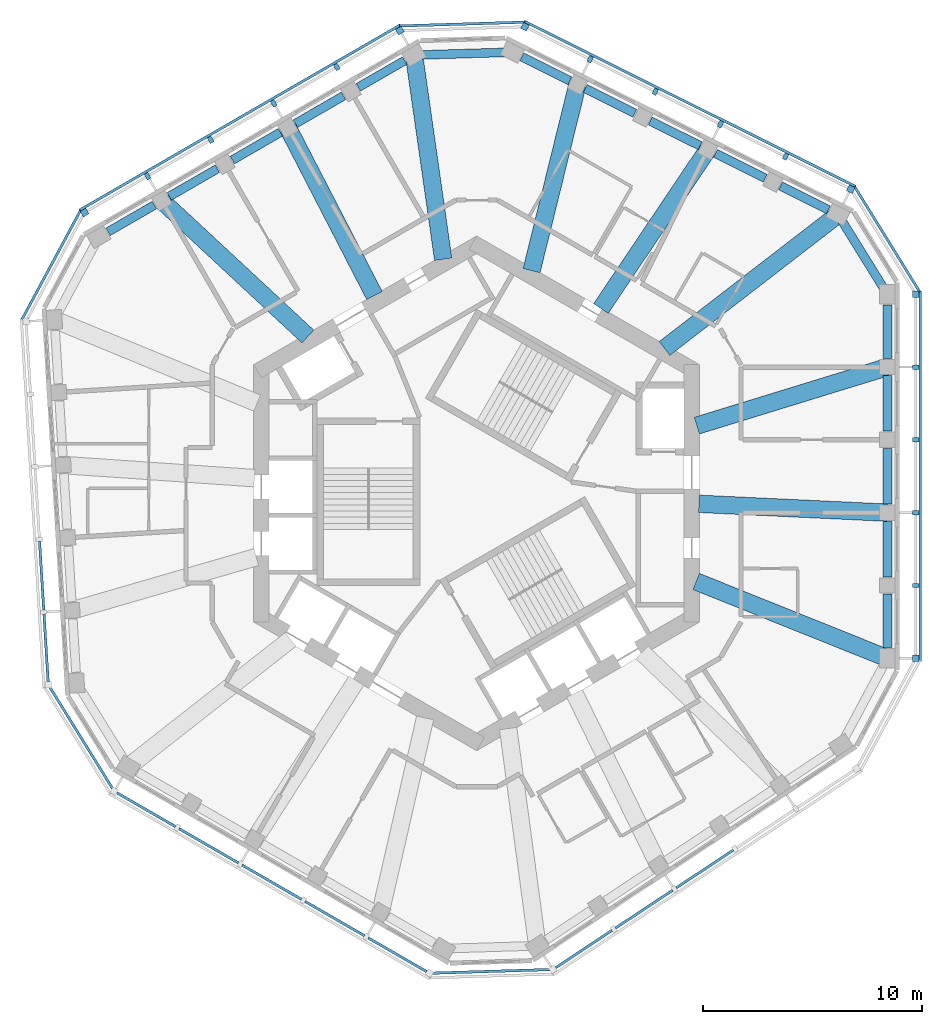
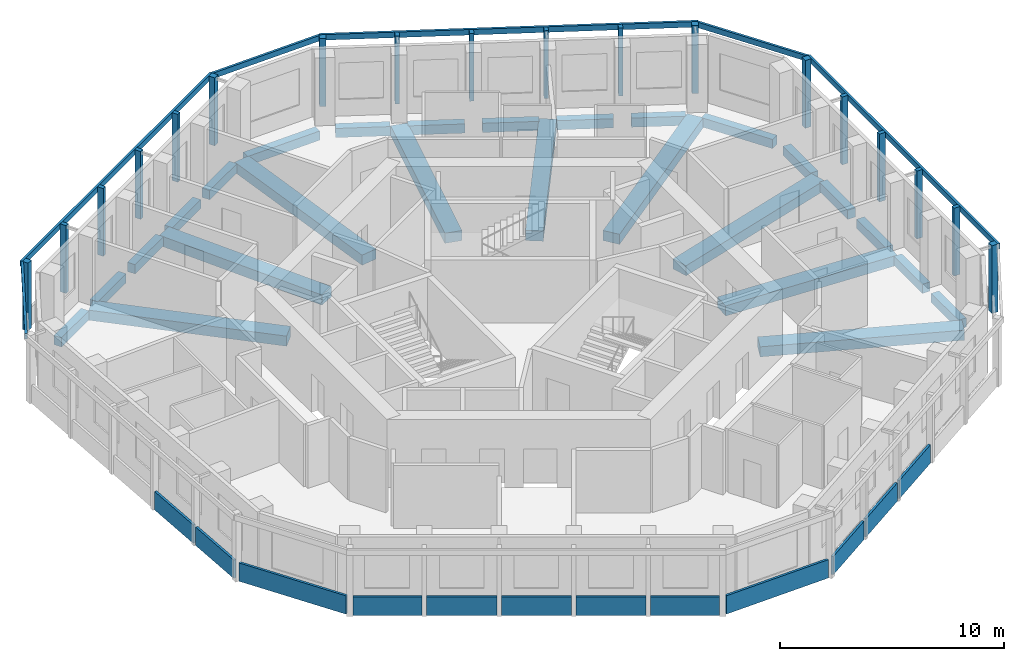
# One storey, part 2 of 11: 26 beams, 24 members, 12 plates, 11 elements without a shape of their own.
"""IFC4 building model written with IfcOpenShell, lengths in metres."""

from ifc_helpers import new_model, si_unit, direction, frame, origin, origin_2d, place, context, subcontext, project, spatial, rectangle, extrude, material, layer, layer_set, material_profile, profile_set, type_object, element, aggregate, save


model = new_model("IFC4")

# Units and contexts
model_context = context("Model", 3, precision=1e-05, world=origin(), true_north=direction((0.0, 1.0)))
body_context = subcontext(model_context, "Body", "Model", "MODEL_VIEW")
ifc_project = project(units=[si_unit("LENGTHUNIT", "METRE"), si_unit("AREAUNIT", "SQUARE_METRE"), si_unit("VOLUMEUNIT", "CUBIC_METRE"), si_unit("PLANEANGLEUNIT", "RADIAN"), si_unit("MASSUNIT", "GRAM", prefix="KILO")], contexts=[model_context])

# Site, building, storey
site_placement = place(None, origin())
site = spatial("IfcSite", under=ifc_project, at=site_placement, CompositionType="ELEMENT")
building_placement = place(site_placement, origin())
building = spatial("IfcBuilding", under=site, at=building_placement, Name="Vanh Sen Convention Tower", CompositionType="ELEMENT")
storey_placement = place(building_placement, frame((0.0, 0.0, 293.10009765625)))
storey = spatial("IfcBuildingStorey", under=building, at=storey_placement, Name="L72", CompositionType="ELEMENT", Elevation=293.10009765625)

# Curtain wall, members
ifc_material_1 = material(Name="Concrete C50/60", Category="concrete")
curtain_wall_type = type_object("IfcCurtainWallType", Name="Outer skin office zone", PredefinedType="NOTDEFINED", material=ifc_material_1)
curtain_wall_1_placement = place(storey_placement, origin())
curtain_wall_1 = element("IfcCurtainWall", 1, at=curtain_wall_1_placement, inside=storey, type_object=curtain_wall_type, Name="OUTER SKIN E L72", PredefinedType="NOTDEFINED")
ifc_material_profile_1 = material_profile(ifc_material_1, rectangle(XDim=0.300048828125, YDim=0.300048828125, at=origin_2d()), Name="Outer skin precast corner fin 300 x 300")
ifc_profile_set_1 = profile_set([ifc_material_profile_1], Name="Concrete C50/60")
member_type_1 = type_object("IfcMemberType", Name="Outer skin precast corner fin 300 x 300", PredefinedType="MULLION", material=ifc_profile_set_1)
member_1_placement = place(storey_placement, frame((20.10009765625, -7.546630859375, 0.0), z_axis=(0.0, 0.0, 1.0), x_axis=(0.0, 1.0, 0.0)))
member_1 = element("IfcMember", 2, at=member_1_placement, type_object=member_type_1, Name="OUTER SKIN CORNER FIN 1 E L72", PredefinedType="MULLION", context=body_context, shape_type="SweptSolid", body=[
    extrude(rectangle(XDim=0.300048828125, YDim=0.300048828125, at=origin_2d()), origin(), (0.0, 0.0, 1.0), 3.699951171875),
])
member_2_placement = place(storey_placement, frame((20.10009765625, 9.111572265625, 0.0), z_axis=(0.0, 0.0, 1.0), x_axis=(0.0, 1.0, 0.0)))
member_2 = element("IfcMember", 3, at=member_2_placement, type_object=member_type_1, Name="OUTER SKIN CORNER FIN 6 E L72", PredefinedType="MULLION", context=body_context, shape_type="SweptSolid", body=[
    extrude(rectangle(XDim=0.300048828125, YDim=0.300048828125, at=origin_2d()), origin(), (0.0, 0.0, 1.0), 3.699951171875),
])

curtain_wall_2_placement = place(storey_placement, origin())
curtain_wall_2 = element("IfcCurtainWall", 4, at=curtain_wall_2_placement, inside=storey, type_object=curtain_wall_type, Name="OUTER SKIN NE L72", PredefinedType="NOTDEFINED")
member_3_placement = place(storey_placement, frame((17.122802734375, 13.922607421875, 0.0), z_axis=(0.0, 0.0, 1.0), x_axis=(-0.894934361602, 0.44619781311, 0.0)))
member_3 = element("IfcMember", 5, at=member_3_placement, type_object=member_type_1, Name="OUTER SKIN CORNER FIN 1 NE L72", PredefinedType="MULLION", context=body_context, shape_type="SweptSolid", body=[
    extrude(rectangle(XDim=0.300048828125, YDim=0.300048828125, at=origin_2d()), origin(), (0.0, 0.0, 1.0), 3.699951171875),
])
member_4_placement = place(storey_placement, frame((2.21484375, 21.35546875, 0.0), z_axis=(0.0, 0.0, 1.0), x_axis=(-0.894934361602, 0.44619781311, 0.0)))
member_4 = element("IfcMember", 6, at=member_4_placement, type_object=member_type_1, Name="OUTER SKIN CORNER FIN 6 NE L72", PredefinedType="MULLION", context=body_context, shape_type="SweptSolid", body=[
    extrude(rectangle(XDim=0.300048828125, YDim=0.300048828125, at=origin_2d()), origin(), (0.0, 0.0, 1.0), 3.699951171875),
])

curtain_wall_3_placement = place(storey_placement, origin())
curtain_wall_3 = element("IfcCurtainWall", 7, at=curtain_wall_3_placement, inside=storey, type_object=curtain_wall_type, Name="OUTER SKIN NW L72", PredefinedType="NOTDEFINED")
member_5_placement = place(storey_placement, frame((-3.514404296875, 21.180419921875, 0.0), z_axis=(0.0, 0.0, 1.0), x_axis=(-0.866025403784, -0.5, 0.0)))
member_5 = element("IfcMember", 8, at=member_5_placement, type_object=member_type_1, Name="OUTER SKIN CORNER FIN 1 NW L72", PredefinedType="MULLION", context=body_context, shape_type="SweptSolid", body=[
    extrude(rectangle(XDim=0.300048828125, YDim=0.300048828125, at=origin_2d()), origin(), (0.0, 0.0, 1.0), 3.699951171875),
])
member_6_placement = place(storey_placement, frame((-17.94091796875, 12.851318359375, 0.0), z_axis=(0.0, 0.0, 1.0), x_axis=(-0.866025403784, -0.5, 0.0)))
member_6 = element("IfcMember", 9, at=member_6_placement, type_object=member_type_1, Name="OUTER SKIN CORNER FIN 6 NW L72", PredefinedType="MULLION", context=body_context, shape_type="SweptSolid", body=[
    extrude(rectangle(XDim=0.300048828125, YDim=0.300048828125, at=origin_2d()), origin(), (0.0, 0.0, 1.0), 3.699951171875),
])

# Member
ifc_material_profile_2 = material_profile(ifc_material_1, rectangle(XDim=0.199951171875, YDim=0.300048828125, at=origin_2d()), Name="Outer skin precast fin 200 x 300")
ifc_profile_set_2 = profile_set([ifc_material_profile_2], Name="Concrete C50/60")
member_type_2 = type_object("IfcMemberType", Name="Outer skin precast fin 200 x 300", PredefinedType="MULLION", material=ifc_profile_set_2)
member_7_placement = place(storey_placement, frame((20.10009765625, -4.215087890625, 0.0), z_axis=(0.0, 0.0, 1.0), x_axis=(0.0, 1.0, 0.0)))
member_7 = element("IfcMember", 10, at=member_7_placement, type_object=member_type_2, Name="OUTER SKIN fin 2 E L72", PredefinedType="MULLION", context=body_context, shape_type="SweptSolid", body=[
    extrude(rectangle(XDim=0.199951171875, YDim=0.300048828125, at=origin_2d()), origin(), (0.0, 0.0, 1.0), 3.699951171875),
])

member_8_placement = place(storey_placement, frame((20.10009765625, -0.88330078125, 0.0), z_axis=(0.0, 0.0, 1.0), x_axis=(0.0, 1.0, 0.0)))
member_8 = element("IfcMember", 11, at=member_8_placement, type_object=member_type_2, Name="OUTER SKIN fin 3 E L72", PredefinedType="MULLION", context=body_context, shape_type="SweptSolid", body=[
    extrude(rectangle(XDim=0.199951171875, YDim=0.300048828125, at=origin_2d()), origin(), (0.0, 0.0, 1.0), 3.699951171875),
])

member_9_placement = place(storey_placement, frame((20.10009765625, 2.4482421875, 0.0), z_axis=(0.0, 0.0, 1.0), x_axis=(0.0, 1.0, 0.0)))
member_9 = element("IfcMember", 12, at=member_9_placement, type_object=member_type_2, Name="OUTER SKIN fin 4 E L72", PredefinedType="MULLION", context=body_context, shape_type="SweptSolid", body=[
    extrude(rectangle(XDim=0.199951171875, YDim=0.300048828125, at=origin_2d()), origin(), (0.0, 0.0, 1.0), 3.699951171875),
])

member_10_placement = place(storey_placement, frame((20.10009765625, 5.77978515625, 0.0), z_axis=(0.0, 0.0, 1.0), x_axis=(0.0, 1.0, 0.0)))
member_10 = element("IfcMember", 13, at=member_10_placement, type_object=member_type_2, Name="OUTER SKIN fin 5 E L72", PredefinedType="MULLION", context=body_context, shape_type="SweptSolid", body=[
    extrude(rectangle(XDim=0.199951171875, YDim=0.300048828125, at=origin_2d()), origin(), (0.0, 0.0, 1.0), 3.699951171875),
])

member_11_placement = place(storey_placement, frame((14.14111328125, 15.4091796875, 0.0), z_axis=(0.0, 0.0, 1.0), x_axis=(-0.894934361602, 0.44619781311, 0.0)))
member_11 = element("IfcMember", 14, at=member_11_placement, type_object=member_type_2, Name="OUTER SKIN fin 2 NE L72", PredefinedType="MULLION", context=body_context, shape_type="SweptSolid", body=[
    extrude(rectangle(XDim=0.199951171875, YDim=0.300048828125, at=origin_2d()), origin(), (0.0, 0.0, 1.0), 3.699951171875),
])

member_12_placement = place(storey_placement, frame((11.15966796875, 16.895751953125, 0.0), z_axis=(0.0, 0.0, 1.0), x_axis=(-0.894934361602, 0.44619781311, 0.0)))
member_12 = element("IfcMember", 15, at=member_12_placement, type_object=member_type_2, Name="OUTER SKIN fin 3 NE L72", PredefinedType="MULLION", context=body_context, shape_type="SweptSolid", body=[
    extrude(rectangle(XDim=0.199951171875, YDim=0.300048828125, at=origin_2d()), origin(), (0.0, 0.0, 1.0), 3.699951171875),
])

member_13_placement = place(storey_placement, frame((8.177978515625, 18.38232421875, 0.0), z_axis=(0.0, 0.0, 1.0), x_axis=(-0.894934361602, 0.44619781311, 0.0)))
member_13 = element("IfcMember", 16, at=member_13_placement, type_object=member_type_2, Name="OUTER SKIN fin 4 NE L72", PredefinedType="MULLION", context=body_context, shape_type="SweptSolid", body=[
    extrude(rectangle(XDim=0.199951171875, YDim=0.300048828125, at=origin_2d()), origin(), (0.0, 0.0, 1.0), 3.699951171875),
])

member_14_placement = place(storey_placement, frame((5.1962890625, 19.868896484375, 0.0), z_axis=(0.0, 0.0, 1.0), x_axis=(-0.894934361602, 0.44619781311, 0.0)))
member_14 = element("IfcMember", 17, at=member_14_placement, type_object=member_type_2, Name="OUTER SKIN fin 5 NE L72", PredefinedType="MULLION", context=body_context, shape_type="SweptSolid", body=[
    extrude(rectangle(XDim=0.199951171875, YDim=0.300048828125, at=origin_2d()), origin(), (0.0, 0.0, 1.0), 3.699951171875),
])

member_15_placement = place(storey_placement, frame((-6.399658203125, 19.5146484375, 0.0), z_axis=(0.0, 0.0, 1.0), x_axis=(-0.866025403784, -0.5, 0.0)))
member_15 = element("IfcMember", 18, at=member_15_placement, type_object=member_type_2, Name="OUTER SKIN fin 2 NW L72", PredefinedType="MULLION", context=body_context, shape_type="SweptSolid", body=[
    extrude(rectangle(XDim=0.199951171875, YDim=0.300048828125, at=origin_2d()), origin(), (0.0, 0.0, 1.0), 3.699951171875),
])

member_16_placement = place(storey_placement, frame((-9.284912109375, 17.848876953125, 0.0), z_axis=(0.0, 0.0, 1.0), x_axis=(-0.866025403784, -0.5, 0.0)))
member_16 = element("IfcMember", 19, at=member_16_placement, type_object=member_type_2, Name="OUTER SKIN fin 3 NW L72", PredefinedType="MULLION", context=body_context, shape_type="SweptSolid", body=[
    extrude(rectangle(XDim=0.199951171875, YDim=0.300048828125, at=origin_2d()), origin(), (0.0, 0.0, 1.0), 3.699951171875),
])

member_17_placement = place(storey_placement, frame((-12.170166015625, 16.18310546875, 0.0), z_axis=(0.0, 0.0, 1.0), x_axis=(-0.866025403784, -0.5, 0.0)))
member_17 = element("IfcMember", 20, at=member_17_placement, type_object=member_type_2, Name="OUTER SKIN fin 4 NW L72", PredefinedType="MULLION", context=body_context, shape_type="SweptSolid", body=[
    extrude(rectangle(XDim=0.199951171875, YDim=0.300048828125, at=origin_2d()), origin(), (0.0, 0.0, 1.0), 3.699951171875),
])

member_18_placement = place(storey_placement, frame((-15.055419921875, 14.51708984375, 0.0), z_axis=(0.0, 0.0, 1.0), x_axis=(-0.866025403784, -0.5, 0.0)))
member_18 = element("IfcMember", 21, at=member_18_placement, type_object=member_type_2, Name="OUTER SKIN fin 5 NW L72", PredefinedType="MULLION", context=body_context, shape_type="SweptSolid", body=[
    extrude(rectangle(XDim=0.199951171875, YDim=0.300048828125, at=origin_2d()), origin(), (0.0, 0.0, 1.0), 3.699951171875),
])

ifc_material_profile_3 = material_profile(ifc_material_1, rectangle(XDim=0.1201171875, YDim=0.300048828125, at=origin_2d()), Name="Outer skin precast spandrel band 300 x 120")
ifc_profile_set_3 = profile_set([ifc_material_profile_3], Name="Concrete C50/60")
member_type_3 = type_object("IfcMemberType", Name="Outer skin precast spandrel band 300 x 120", PredefinedType="USERDEFINED", material=ifc_profile_set_3)
member_19_placement = place(storey_placement, frame((20.31005859375, -7.69677734375, 3.5498046875), z_axis=(0.0, 1.0, 0.0), x_axis=(-1.0, 0.0, 0.0)))
member_19 = element("IfcMember", 22, at=member_19_placement, type_object=member_type_3, Name="OUTER SKIN spandrel band E L72", ObjectType="TRANSOM", PredefinedType="USERDEFINED", context=body_context, shape_type="SweptSolid", body=[
    extrude(rectangle(XDim=0.1201171875, YDim=0.300048828125, at=origin_2d()), origin(), (0.0, 0.0, 1.0), 16.958251953125),
])

aggregate(curtain_wall_1, [member_1, member_7, member_8, member_9, member_10, member_2, member_19])

# Curtain wall, member
curtain_wall_4_placement = place(storey_placement, origin())
curtain_wall_4 = element("IfcCurtainWall", 23, at=curtain_wall_4_placement, inside=storey, type_object=curtain_wall_type, Name="OUTER SKIN CH1 L72", PredefinedType="NOTDEFINED")
member_20_placement = place(storey_placement, frame((20.278564453125, 9.221923828125, 3.5498046875), z_axis=(-0.52621200061, 0.850353415007, 0.0), x_axis=(-0.850353415007, -0.52621200061, 0.0)))
member_20 = element("IfcMember", 24, at=member_20_placement, type_object=member_type_3, Name="OUTER SKIN spandrel band CH1 L72", ObjectType="TRANSOM", PredefinedType="USERDEFINED", context=body_context, shape_type="SweptSolid", body=[
    extrude(rectangle(XDim=0.1201171875, YDim=0.300048828125, at=origin_2d()), origin(), (0.0, 0.0, 1.0), 5.657958984375),
])
aggregate(curtain_wall_4, [member_20])

# Member
member_21_placement = place(storey_placement, frame((17.3505859375, 14.043701171875, 3.5498046875), z_axis=(-0.894933383827, 0.446199774218, 0.0), x_axis=(-0.446199774218, -0.894933383827, 0.0)))
member_21 = element("IfcMember", 25, at=member_21_placement, type_object=member_type_3, Name="OUTER SKIN spandrel band NE L72", ObjectType="TRANSOM", PredefinedType="USERDEFINED", context=body_context, shape_type="SweptSolid", body=[
    extrude(rectangle(XDim=0.1201171875, YDim=0.300048828125, at=origin_2d()), origin(), (0.0, 0.0, 1.0), 16.9580078125),
])

aggregate(curtain_wall_2, [member_3, member_11, member_12, member_13, member_14, member_4, member_21])

# Curtain wall, member
curtain_wall_5_placement = place(storey_placement, origin())
curtain_wall_5 = element("IfcCurtainWall", 26, at=curtain_wall_5_placement, inside=storey, type_object=curtain_wall_type, Name="OUTER SKIN CH2 L72", PredefinedType="NOTDEFINED")
member_22_placement = place(storey_placement, frame((2.208251953125, 21.5654296875, 3.5498046875), z_axis=(-0.999533527312, -0.030540592307, 0.0), x_axis=(0.030540592307, -0.999533527312, 0.0)))
member_22 = element("IfcMember", 27, at=member_22_placement, type_object=member_type_3, Name="OUTER SKIN spandrel band CH2 L72", ObjectType="TRANSOM", PredefinedType="USERDEFINED", context=body_context, shape_type="SweptSolid", body=[
    extrude(rectangle(XDim=0.1201171875, YDim=0.300048828125, at=origin_2d()), origin(), (0.0, 0.0, 1.0), 5.731689453125),
])
aggregate(curtain_wall_5, [member_22])

# Member
member_23_placement = place(storey_placement, frame((-3.489501953125, 21.4375, 3.5498046875), z_axis=(-0.866022320763, -0.500005339912, 0.0), x_axis=(0.500005339912, -0.866022320763, 0.0)))
member_23 = element("IfcMember", 28, at=member_23_placement, type_object=member_type_3, Name="OUTER SKIN spandrel band NW L72", ObjectType="TRANSOM", PredefinedType="USERDEFINED", context=body_context, shape_type="SweptSolid", body=[
    extrude(rectangle(XDim=0.1201171875, YDim=0.300048828125, at=origin_2d()), origin(), (0.0, 0.0, 1.0), 16.958251953125),
])

aggregate(curtain_wall_3, [member_5, member_15, member_16, member_17, member_18, member_6, member_23])

# Curtain wall, member
curtain_wall_6_placement = place(storey_placement, origin())
curtain_wall_6 = element("IfcCurtainWall", 29, at=curtain_wall_6_placement, inside=storey, type_object=curtain_wall_type, Name="OUTER SKIN CH3 L72", PredefinedType="NOTDEFINED")
member_24_placement = place(storey_placement, frame((-18.125732421875, 12.95068359375, 3.5498046875), z_axis=(-0.473325096028, -0.880887821161, 0.0), x_axis=(0.880887821161, -0.473325096028, 0.0)))
member_24 = element("IfcMember", 30, at=member_24_placement, type_object=member_type_3, Name="OUTER SKIN spandrel band CH3 L72", ObjectType="TRANSOM", PredefinedType="USERDEFINED", context=body_context, shape_type="SweptSolid", body=[
    extrude(rectangle(XDim=0.1201171875, YDim=0.300048828125, at=origin_2d()), origin(), (0.0, 0.0, 1.0), 5.65771484375),
])
aggregate(curtain_wall_6, [member_24])

# Beams
ifc_material_2 = material(Name="Concrete C50/60", Category="concrete")
ifc_material_profile_4 = material_profile(ifc_material_2, rectangle(XDim=0.800048828125, YDim=0.550048828125, at=origin_2d()), Name="RC 800X550")
ifc_profile_set_4 = profile_set([ifc_material_profile_4], Name="Concrete C50/60")
beam_type_1 = type_object("IfcBeamType", Name="Radial floor beam 800 x 550", PredefinedType="BEAM", material=ifc_profile_set_4)
beam_1_placement = place(storey_placement, frame((18.603759765625, -7.468017578125, -0.55517578125), z_axis=(-0.928014010197, 0.372545295069, 0.0), x_axis=(-0.372545295069, -0.928014010197, 0.0)))
element("IfcBeam", 31, at=beam_1_placement, inside=storey, type_object=beam_type_1, Name="Radial beam 01 L72", PredefinedType="BEAM", context=body_context, shape_type="SweptSolid", body=[
    extrude(rectangle(XDim=0.800048828125, YDim=0.550048828125, at=origin_2d()), origin(), (0.0, 0.0, 1.0), 9.22119140625),
])
beam_2_placement = place(storey_placement, frame((18.795654296875, -0.88330078125, -0.55517578125), z_axis=(-0.998897770971, 0.046938716953, 0.0), x_axis=(-0.046938716953, -0.998897770971, 0.0)))
element("IfcBeam", 32, at=beam_2_placement, inside=storey, type_object=beam_type_1, Name="Radial beam 02 L72", PredefinedType="BEAM", context=body_context, shape_type="SweptSolid", body=[
    extrude(rectangle(XDim=0.800048828125, YDim=0.550048828125, at=origin_2d()), origin(), (0.0, 0.0, 1.0), 8.62890625),
])
beam_3_placement = place(storey_placement, frame((18.747314453125, 5.763671875, -0.55517578125), z_axis=(-0.95585056515, -0.293853189709, 0.0), x_axis=(0.293853189709, -0.95585056515, 0.0)))
element("IfcBeam", 33, at=beam_3_placement, inside=storey, type_object=beam_type_1, Name="Radial beam 03 L72", PredefinedType="BEAM", context=body_context, shape_type="SweptSolid", body=[
    extrude(rectangle(XDim=0.800048828125, YDim=0.550048828125, at=origin_2d()), origin(), (0.0, 0.0, 1.0), 9.070068359375),
])
beam_4_placement = place(storey_placement, frame((16.39208984375, 12.64306640625, -0.55517578125), z_axis=(-0.791830241539, -0.610741245197, 0.0), x_axis=(0.610741245197, -0.791830241539, 0.0)))
element("IfcBeam", 34, at=beam_4_placement, inside=storey, type_object=beam_type_1, Name="Radial beam 04 L72", PredefinedType="BEAM", context=body_context, shape_type="SweptSolid", body=[
    extrude(rectangle(XDim=0.800048828125, YDim=0.550048828125, at=origin_2d()), origin(), (0.0, 0.0, 1.0), 9.841796875),
])
beam_5_placement = place(storey_placement, frame((10.56787109375, 15.715087890625, -0.55517578125), z_axis=(-0.558032387358, -0.829819169856, 0.0), x_axis=(0.829819169856, -0.558032387358, 0.0)))
element("IfcBeam", 35, at=beam_5_placement, inside=storey, type_object=beam_type_1, Name="Radial beam 05 L72", PredefinedType="BEAM", context=body_context, shape_type="SweptSolid", body=[
    extrude(rectangle(XDim=0.800048828125, YDim=0.550048828125, at=origin_2d()), origin(), (0.0, 0.0, 1.0), 8.74658203125),
])
beam_6_placement = place(storey_placement, frame((4.60693359375, 18.66748046875, -0.55517578125), z_axis=(-0.239612898174, -0.970868507589, 0.0), x_axis=(0.970868507589, -0.239612898174, 0.0)))
element("IfcBeam", 36, at=beam_6_placement, inside=storey, type_object=beam_type_1, Name="Radial beam 06 L72", PredefinedType="BEAM", context=body_context, shape_type="SweptSolid", body=[
    extrude(rectangle(XDim=0.800048828125, YDim=0.550048828125, at=origin_2d()), origin(), (0.0, 0.0, 1.0), 8.72998046875),
])
beam_7_placement = place(storey_placement, frame((-2.83447265625, 19.84521484375, -0.55517578125), z_axis=(0.141410236157, -0.98995108218, 0.0), x_axis=(0.98995108218, 0.141410236157, 0.0)))
element("IfcBeam", 37, at=beam_7_placement, inside=storey, type_object=beam_type_1, Name="Radial beam 07 L72", PredefinedType="BEAM", context=body_context, shape_type="SweptSolid", body=[
    extrude(rectangle(XDim=0.800048828125, YDim=0.550048828125, at=origin_2d()), origin(), (0.0, 0.0, 1.0), 9.22119140625),
])
beam_8_placement = place(storey_placement, frame((-8.633056640625, 16.71923828125, -0.55517578125), z_axis=(0.458798582114, -0.888540297933, 0.0), x_axis=(0.888540297933, 0.458798582114, 0.0)))
element("IfcBeam", 38, at=beam_8_placement, inside=storey, type_object=beam_type_1, Name="Radial beam 08 L72", PredefinedType="BEAM", context=body_context, shape_type="SweptSolid", body=[
    extrude(rectangle(XDim=0.800048828125, YDim=0.550048828125, at=origin_2d()), origin(), (0.0, 0.0, 1.0), 8.62890625),
])
beam_9_placement = place(storey_placement, frame((-14.365234375, 13.353759765625, -0.55517578125), z_axis=(0.732435801249, -0.680836101458, 0.0), x_axis=(0.680836101458, 0.732435801249, 0.0)))
element("IfcBeam", 39, at=beam_9_placement, inside=storey, type_object=beam_type_1, Name="Radial beam 09 L72", PredefinedType="BEAM", context=body_context, shape_type="SweptSolid", body=[
    extrude(rectangle(XDim=0.800048828125, YDim=0.550048828125, at=origin_2d()), origin(), (0.0, 0.0, 1.0), 9.070068359375),
])
ifc_material_profile_5 = material_profile(ifc_material_2, rectangle(XDim=0.39990234375, YDim=0.5, at=origin_2d()), Name="RC 400X500")
ifc_profile_set_5 = profile_set([ifc_material_profile_5], Name="Concrete C50/60")
beam_type_2 = type_object("IfcBeamType", Name="Spandrel beam 400 x 500", PredefinedType="SPANDREL", material=ifc_profile_set_5)
beam_10_placement = place(storey_placement, frame((18.800048828125, -7.0517578125, -0.530029296875), z_axis=(0.0, 1.0, 0.0), x_axis=(-1.0, 0.0, 0.0)))
element("IfcBeam", 40, at=beam_10_placement, inside=storey, type_object=beam_type_2, Name="Spandrel beam 01 L72", PredefinedType="SPANDREL", context=body_context, shape_type="SweptSolid", body=[
    extrude(rectangle(XDim=0.39990234375, YDim=0.5, at=origin_2d()), origin(), (0.0, 0.0, 1.0), 2.441650390625),
])
beam_11_placement = place(storey_placement, frame((18.800048828125, -3.820068359375, -0.530029296875), z_axis=(0.0, 1.0, 0.0), x_axis=(-1.0, 0.0, 0.0)))
element("IfcBeam", 41, at=beam_11_placement, inside=storey, type_object=beam_type_2, Name="Spandrel beam 02 L72", PredefinedType="SPANDREL", context=body_context, shape_type="SweptSolid", body=[
    extrude(rectangle(XDim=0.39990234375, YDim=0.5, at=origin_2d()), origin(), (0.0, 0.0, 1.0), 2.541748046875),
])
beam_12_placement = place(storey_placement, frame((18.800048828125, -0.48828125, -0.530029296875), z_axis=(0.0, 1.0, 0.0), x_axis=(-1.0, 0.0, 0.0)))
element("IfcBeam", 42, at=beam_12_placement, inside=storey, type_object=beam_type_2, Name="Spandrel beam 03 L72", PredefinedType="SPANDREL", context=body_context, shape_type="SweptSolid", body=[
    extrude(rectangle(XDim=0.39990234375, YDim=0.5, at=origin_2d()), origin(), (0.0, 0.0, 1.0), 2.54150390625),
])
beam_13_placement = place(storey_placement, frame((18.800048828125, 2.84326171875, -0.530029296875), z_axis=(0.0, 1.0, 0.0), x_axis=(-1.0, 0.0, 0.0)))
element("IfcBeam", 43, at=beam_13_placement, inside=storey, type_object=beam_type_2, Name="Spandrel beam 04 L72", PredefinedType="SPANDREL", context=body_context, shape_type="SweptSolid", body=[
    extrude(rectangle(XDim=0.39990234375, YDim=0.5, at=origin_2d()), origin(), (0.0, 0.0, 1.0), 2.541748046875),
])
beam_14_placement = place(storey_placement, frame((18.800048828125, 6.1748046875, -0.530029296875), z_axis=(0.0, 1.0, 0.0), x_axis=(-1.0, 0.0, 0.0)))
element("IfcBeam", 44, at=beam_14_placement, inside=storey, type_object=beam_type_2, Name="Spandrel beam 05 L72", PredefinedType="SPANDREL", context=body_context, shape_type="SweptSolid", body=[
    extrude(rectangle(XDim=0.39990234375, YDim=0.5, at=origin_2d()), origin(), (0.0, 0.0, 1.0), 2.441650390625),
])
beam_15_placement = place(storey_placement, frame((18.622802734375, 9.39794921875, -0.530029296875), z_axis=(-0.526243037715, 0.850334207978, 0.0), x_axis=(-0.850334207978, -0.526243037715, 0.0)))
element("IfcBeam", 45, at=beam_15_placement, inside=storey, type_object=beam_type_2, Name="Spandrel beam 06 L72", PredefinedType="SPANDREL", context=body_context, shape_type="SweptSolid", body=[
    extrude(rectangle(XDim=0.39990234375, YDim=0.5, at=origin_2d()), origin(), (0.0, 0.0, 1.0), 3.615966796875),
])
beam_16_placement = place(storey_placement, frame((16.099609375, 12.97998046875, -0.530029296875), z_axis=(-0.894906625839, 0.446253438114, 0.0), x_axis=(-0.446253438114, -0.894906625839, 0.0)))
element("IfcBeam", 46, at=beam_16_placement, inside=storey, type_object=beam_type_2, Name="Spandrel beam 07 L72", PredefinedType="SPANDREL", context=body_context, shape_type="SweptSolid", body=[
    extrude(rectangle(XDim=0.39990234375, YDim=0.5, at=origin_2d()), origin(), (0.0, 0.0, 1.0), 2.441650390625),
])
beam_17_placement = place(storey_placement, frame((13.20751953125, 14.422119140625, -0.530029296875), z_axis=(-0.894926162451, 0.446214257684, 0.0), x_axis=(-0.446214257684, -0.894926162451, 0.0)))
element("IfcBeam", 47, at=beam_17_placement, inside=storey, type_object=beam_type_2, Name="Spandrel beam 08 L72", PredefinedType="SPANDREL", context=body_context, shape_type="SweptSolid", body=[
    extrude(rectangle(XDim=0.39990234375, YDim=0.5, at=origin_2d()), origin(), (0.0, 0.0, 1.0), 2.54150390625),
])
for number, where, z_axis, x_axis, name in (
    (48, (10.22607421875, 15.90869140625, -0.530029296875), (-0.894945286886, 0.446175899709, 0.0), (-0.446175899709, -0.894945286886, 0.0), "Spandrel beam 09 L72"),
    (49, (7.244384765625, 17.395263671875, -0.530029296875), (-0.894945286886, 0.446175899709, 0.0), (-0.446175899709, -0.894945286886, 0.0), "Spandrel beam 10 L72"),
):
    element("IfcBeam", number, at=place(storey_placement, frame(where, z_axis=z_axis, x_axis=x_axis)), inside=storey, type_object=beam_type_2, Name=name, PredefinedType="SPANDREL", context=body_context, shape_type="SweptSolid", body=[
        extrude(rectangle(XDim=0.39990234375, YDim=0.5, at=origin_2d()), origin(), (0.0, 0.0, 1.0), 2.541748046875),
    ])
beam_18_placement = place(storey_placement, frame((4.2626953125, 18.881591796875, -0.530029296875), z_axis=(-0.894906625839, 0.446253438114, 0.0), x_axis=(-0.446253438114, -0.894906625839, 0.0)))
element("IfcBeam", 50, at=beam_18_placement, inside=storey, type_object=beam_type_2, Name="Spandrel beam 11 L72", PredefinedType="SPANDREL", context=body_context, shape_type="SweptSolid", body=[
    extrude(rectangle(XDim=0.39990234375, YDim=0.5, at=origin_2d()), origin(), (0.0, 0.0, 1.0), 2.441650390625),
])
beam_19_placement = place(storey_placement, frame((1.272705078125, 20.180908203125, -0.530029296875), z_axis=(-0.999536362702, -0.030447654044, 0.0), x_axis=(0.030447654044, -0.999536362702, 0.0)))
element("IfcBeam", 51, at=beam_19_placement, inside=storey, type_object=beam_type_2, Name="Spandrel beam 12 L72", PredefinedType="SPANDREL", context=body_context, shape_type="SweptSolid", body=[
    extrude(rectangle(XDim=0.39990234375, YDim=0.5, at=origin_2d()), origin(), (0.0, 0.0, 1.0), 3.776611328125),
])
beam_20_placement = place(storey_placement, frame((-3.29296875, 19.80712890625, -0.530029296875), z_axis=(-0.866000753341, -0.500042693391, 0.0), x_axis=(0.500042693391, -0.866000753341, 0.0)))
element("IfcBeam", 52, at=beam_20_placement, inside=storey, type_object=beam_type_2, Name="Spandrel beam 13 L72", PredefinedType="SPANDREL", context=body_context, shape_type="SweptSolid", body=[
    extrude(rectangle(XDim=0.39990234375, YDim=0.5, at=origin_2d()), origin(), (0.0, 0.0, 1.0), 2.441650390625),
])
for number, where, z_axis, x_axis, name in (
    (53, (-6.091796875, 18.19140625, -0.530029296875), (-0.86597601289, -0.500085537782, 0.0), (0.500085537782, -0.86597601289, 0.0), "Spandrel beam 14 L72"),
    (54, (-8.97705078125, 16.525390625, -0.530029296875), (-0.866017611601, -0.500013496215, 0.0), (0.500013496215, -0.866017611601, 0.0), "Spandrel beam 15 L72"),
):
    element("IfcBeam", number, at=place(storey_placement, frame(where, z_axis=z_axis, x_axis=x_axis)), inside=storey, type_object=beam_type_2, Name=name, PredefinedType="SPANDREL", context=body_context, shape_type="SweptSolid", body=[
        extrude(rectangle(XDim=0.39990234375, YDim=0.5, at=origin_2d()), origin(), (0.0, 0.0, 1.0), 2.54150390625),
    ])
beam_21_placement = place(storey_placement, frame((-11.8623046875, 14.859619140625, -0.530029296875), z_axis=(-0.866041625918, -0.499971901387, 0.0), x_axis=(0.499971901387, -0.866041625918, 0.0)))
element("IfcBeam", 55, at=beam_21_placement, inside=storey, type_object=beam_type_2, Name="Spandrel beam 16 L72", PredefinedType="SPANDREL", context=body_context, shape_type="SweptSolid", body=[
    extrude(rectangle(XDim=0.39990234375, YDim=0.5, at=origin_2d()), origin(), (0.0, 0.0, 1.0), 2.541748046875),
])
beam_22_placement = place(storey_placement, frame((-14.74755859375, 13.19384765625, -0.530029296875), z_axis=(-0.866000753341, -0.500042693391, 0.0), x_axis=(0.500042693391, -0.866000753341, 0.0)))
element("IfcBeam", 56, at=beam_22_placement, inside=storey, type_object=beam_type_2, Name="Spandrel beam 17 L72", PredefinedType="SPANDREL", context=body_context, shape_type="SweptSolid", body=[
    extrude(rectangle(XDim=0.39990234375, YDim=0.5, at=origin_2d()), origin(), (0.0, 0.0, 1.0), 2.441650390625),
])

# Curtain wall, plates
curtain_wall_7_placement = place(storey_placement, origin())
curtain_wall_7 = element("IfcCurtainWall", 57, at=curtain_wall_7_placement, inside=storey, type_object=curtain_wall_type, Name="OUTER SKIN W L72", PredefinedType="NOTDEFINED")
ifc_layer = layer(ifc_material_1, 0.1201171875)
ifc_layer_set = layer_set([ifc_layer], Name="Concrete C50/60")
plate_type = type_object("IfcPlateType", Name="Outer skin precast screen panel 120", PredefinedType="CURTAIN_PANEL", material=ifc_layer_set)
plate_1_placement = place(storey_placement, frame((-19.906982421875, -3.771484375, 0.0), z_axis=(0.0, 0.0, 1.0), x_axis=(0.061052023682, -0.998134585316, 0.0)))
plate_1 = element("IfcPlate", 58, at=plate_1_placement, type_object=plate_type, Name="OUTER SKIN screen panel W-4", PredefinedType="CURTAIN_PANEL", context=body_context, shape_type="SweptSolid", body=[
    extrude(rectangle(XDim=3.131591796875, YDim=0.1201171875, at=origin_2d()), origin(), (0.0, 0.0, 1.0), 1.0),
])
plate_2_placement = place(storey_placement, frame((-19.705078125, -7.072021484375, 0.0), z_axis=(0.0, 0.0, 1.0), x_axis=(0.061050281609, -0.998134691871, 0.0)))
plate_2 = element("IfcPlate", 59, at=plate_2_placement, type_object=plate_type, Name="OUTER SKIN screen panel W-5", PredefinedType="CURTAIN_PANEL", context=body_context, shape_type="SweptSolid", body=[
    extrude(rectangle(XDim=3.081787109375, YDim=0.1201171875, at=origin_2d()), origin(), (0.0, 0.0, 1.0), 1.0),
])
aggregate(curtain_wall_7, [plate_1, plate_2])

# Curtain wall, plate
curtain_wall_8_placement = place(storey_placement, origin())
curtain_wall_8 = element("IfcCurtainWall", 60, at=curtain_wall_8_placement, inside=storey, type_object=curtain_wall_type, Name="OUTER SKIN CH4 L72", PredefinedType="NOTDEFINED")
plate_3_placement = place(storey_placement, frame((-18.09375, -11.19677734375, 0.0), z_axis=(0.0, 0.0, 1.0), x_axis=(0.526210955359, -0.850354061823, 0.0)))
plate_3 = element("IfcPlate", 61, at=plate_3_placement, type_object=plate_type, Name="OUTER SKIN screen panel CH4-1", PredefinedType="CURTAIN_PANEL", context=body_context, shape_type="SweptSolid", body=[
    extrude(rectangle(XDim=5.431640625, YDim=0.1201171875, at=origin_2d()), origin(), (0.0, 0.0, 1.0), 1.0),
])
aggregate(curtain_wall_8, [plate_3])

# Curtain wall, plates
curtain_wall_9_placement = place(storey_placement, origin())
curtain_wall_9 = element("IfcCurtainWall", 62, at=curtain_wall_9_placement, inside=storey, type_object=curtain_wall_type, Name="OUTER SKIN SW L72", PredefinedType="NOTDEFINED")
plate_4_placement = place(storey_placement, frame((-15.121337890625, -14.47900390625, 0.0), z_axis=(0.0, 0.0, 1.0), x_axis=(0.866028894422, -0.49999395399, 0.0)))
plate_4 = element("IfcPlate", 63, at=plate_4_placement, type_object=plate_type, Name="OUTER SKIN screen panel SW-1", PredefinedType="CURTAIN_PANEL", context=body_context, shape_type="SweptSolid", body=[
    extrude(rectangle(XDim=3.08154296875, YDim=0.1201171875, at=origin_2d()), origin(), (0.0, 0.0, 1.0), 1.0),
])
plate_5_placement = place(storey_placement, frame((-12.2578125, -16.132568359375, 0.0), z_axis=(0.0, 0.0, 1.0), x_axis=(0.866015804314, -0.500016626402, 0.0)))
plate_5 = element("IfcPlate", 64, at=plate_5_placement, type_object=plate_type, Name="OUTER SKIN screen panel SW-2", PredefinedType="CURTAIN_PANEL", context=body_context, shape_type="SweptSolid", body=[
    extrude(rectangle(XDim=3.131591796875, YDim=0.1201171875, at=origin_2d()), origin(), (0.0, 0.0, 1.0), 1.0),
])
plate_6_placement = place(storey_placement, frame((-9.37255859375, -17.79833984375, 0.0), z_axis=(0.0, 0.0, 1.0), x_axis=(0.866028894422, -0.49999395399, 0.0)))
plate_6 = element("IfcPlate", 65, at=plate_6_placement, type_object=plate_type, Name="OUTER SKIN screen panel SW-3", PredefinedType="CURTAIN_PANEL", context=body_context, shape_type="SweptSolid", body=[
    extrude(rectangle(XDim=3.131591796875, YDim=0.1201171875, at=origin_2d()), origin(), (0.0, 0.0, 1.0), 1.0),
])
plate_7_placement = place(storey_placement, frame((-6.487060546875, -19.464111328125, 0.0), z_axis=(0.0, 0.0, 1.0), x_axis=(0.866028894422, -0.49999395399, 0.0)))
plate_7 = element("IfcPlate", 66, at=plate_7_placement, type_object=plate_type, Name="OUTER SKIN screen panel SW-4", PredefinedType="CURTAIN_PANEL", context=body_context, shape_type="SweptSolid", body=[
    extrude(rectangle(XDim=3.131591796875, YDim=0.1201171875, at=origin_2d()), origin(), (0.0, 0.0, 1.0), 1.0),
])
plate_8_placement = place(storey_placement, frame((-3.62353515625, -21.117431640625, 0.0), z_axis=(0.0, 0.0, 1.0), x_axis=(0.866028894422, -0.49999395399, 0.0)))
plate_8 = element("IfcPlate", 67, at=plate_8_placement, type_object=plate_type, Name="OUTER SKIN screen panel SW-5", PredefinedType="CURTAIN_PANEL", context=body_context, shape_type="SweptSolid", body=[
    extrude(rectangle(XDim=3.08154296875, YDim=0.1201171875, at=origin_2d()), origin(), (0.0, 0.0, 1.0), 1.0),
])
aggregate(curtain_wall_9, [plate_4, plate_5, plate_6, plate_7, plate_8])

# Curtain wall, plate
curtain_wall_10_placement = place(storey_placement, origin())
curtain_wall_10 = element("IfcCurtainWall", 68, at=curtain_wall_10_placement, inside=storey, type_object=curtain_wall_type, Name="OUTER SKIN CH5 L72", PredefinedType="NOTDEFINED")
plate_9_placement = place(storey_placement, frame((0.66845703125, -21.87646484375, 0.0), z_axis=(0.0, 0.0, 1.0), x_axis=(0.999533590837, 0.03053851321, 0.0)))
plate_9 = element("IfcPlate", 69, at=plate_9_placement, type_object=plate_type, Name="OUTER SKIN screen panel CH5-1", PredefinedType="CURTAIN_PANEL", context=body_context, shape_type="SweptSolid", body=[
    extrude(rectangle(XDim=5.35791015625, YDim=0.1201171875, at=origin_2d()), origin(), (0.0, 0.0, 1.0), 1.0),
])
aggregate(curtain_wall_10, [plate_9])

# Curtain wall, plates
curtain_wall_11_placement = place(storey_placement, origin())
curtain_wall_11 = element("IfcCurtainWall", 70, at=curtain_wall_11_placement, inside=storey, type_object=curtain_wall_type, Name="OUTER SKIN SE L72", PredefinedType="NOTDEFINED")
plate_10_placement = place(storey_placement, frame((4.906005859375, -20.85693359375, 0.0), z_axis=(0.0, 0.0, 1.0), x_axis=(0.833902198, 0.551912243179, 0.0)))
plate_10 = element("IfcPlate", 71, at=plate_10_placement, type_object=plate_type, Name="OUTER SKIN screen panel SE-1", PredefinedType="CURTAIN_PANEL", context=body_context, shape_type="SweptSolid", body=[
    extrude(rectangle(XDim=3.081787109375, YDim=0.1201171875, at=origin_2d()), origin(), (0.0, 0.0, 1.0), 1.0),
])
plate_11_placement = place(storey_placement, frame((7.663330078125, -19.03173828125, 0.0), z_axis=(0.0, 0.0, 1.0), x_axis=(0.833879078823, 0.551947173108, 0.0)))
plate_11 = element("IfcPlate", 72, at=plate_11_placement, type_object=plate_type, Name="OUTER SKIN screen panel SE-2", PredefinedType="CURTAIN_PANEL", context=body_context, shape_type="SweptSolid", body=[
    extrude(rectangle(XDim=3.131591796875, YDim=0.1201171875, at=origin_2d()), origin(), (0.0, 0.0, 1.0), 1.0),
])
plate_12_placement = place(storey_placement, frame((10.44140625, -17.193115234375, 0.0), z_axis=(0.0, 0.0, 1.0), x_axis=(0.833892565187, 0.551926797434, 0.0)))
plate_12 = element("IfcPlate", 73, at=plate_12_placement, type_object=plate_type, Name="OUTER SKIN screen panel SE-3", PredefinedType="CURTAIN_PANEL", context=body_context, shape_type="SweptSolid", body=[
    extrude(rectangle(XDim=3.131591796875, YDim=0.1201171875, at=origin_2d()), origin(), (0.0, 0.0, 1.0), 1.0),
])
aggregate(curtain_wall_11, [plate_10, plate_11, plate_12])

save(model, "model.ifc")
